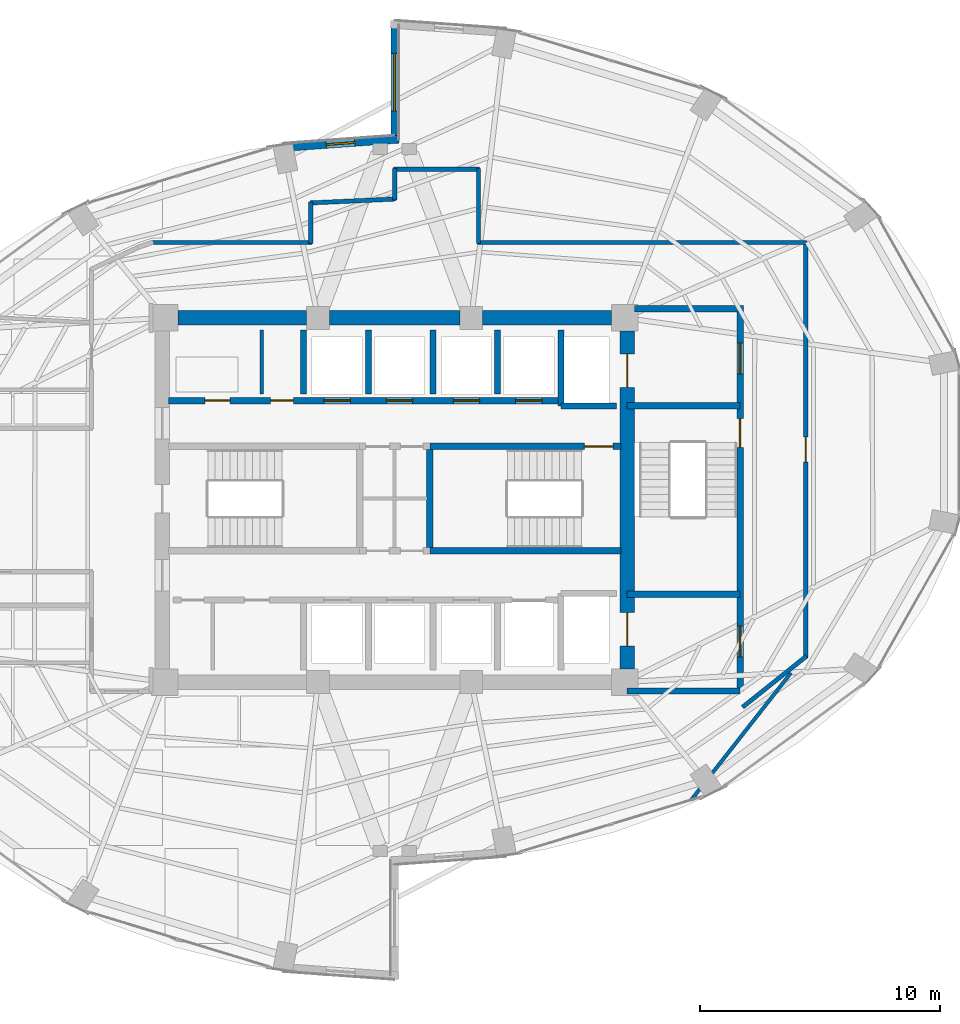
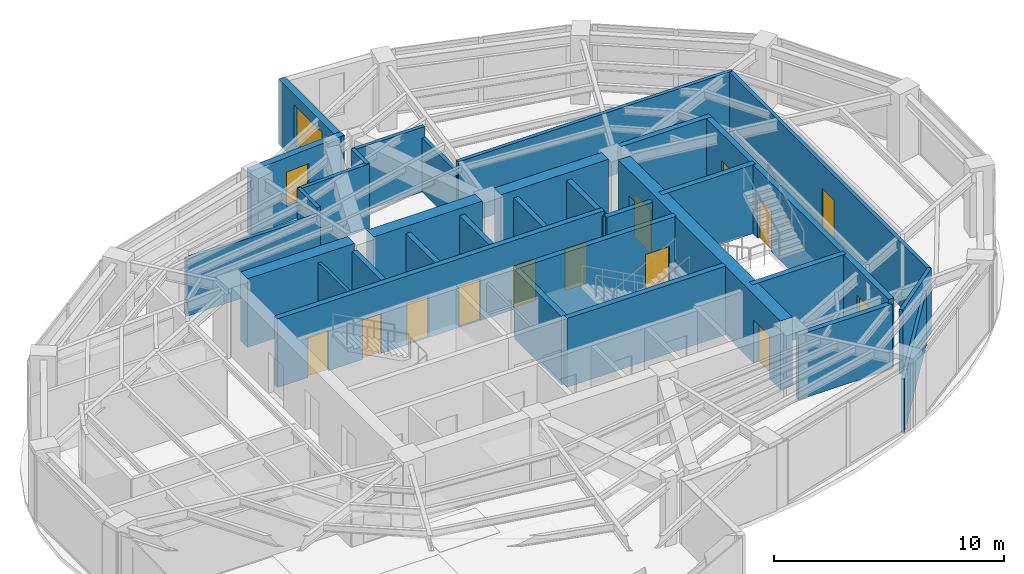
# One storey, part 17 of 20: 32 walls, 13 doors, 2 windows, 15 openings.
"""IFC4 building model written with IfcOpenShell, lengths in metres."""

from ifc_helpers import new_model, si_unit, direction, frame, frame_2d, origin, place, context, subcontext, project, spatial, rectangle, extrude, material, layer, layer_set, type_object, element, fill, save


model = new_model("IFC4")

# Units and contexts
model_context = context("Model", 3, precision=1e-05, world=origin(), true_north=direction((0.0, 1.0)))
body_context = subcontext(model_context, "Body", "Model", "MODEL_VIEW")
ifc_project = project(units=[si_unit("LENGTHUNIT", "METRE"), si_unit("AREAUNIT", "SQUARE_METRE"), si_unit("VOLUMEUNIT", "CUBIC_METRE"), si_unit("PLANEANGLEUNIT", "RADIAN"), si_unit("MASSUNIT", "GRAM", prefix="KILO")], contexts=[model_context])

# Site, building, storey
site_placement = place(None, origin())
site = spatial("IfcSite", under=ifc_project, at=site_placement, CompositionType="ELEMENT")
building_placement = place(site_placement, origin())
building = spatial("IfcBuilding", under=site, at=building_placement, Name="Lazwardi Medical Tower", CompositionType="ELEMENT")
storey_placement = place(building_placement, frame((0.0, 0.0, 182.06396484375)))
storey = spatial("IfcBuildingStorey", under=building, at=storey_placement, Name="L47", CompositionType="ELEMENT", Elevation=182.06396484375)

# Walls
ifc_material_1 = material(Name="Fire-rated gypsum board on steel stud", Category="steel")
ifc_layer_1 = layer(ifc_material_1, 0.179931640625)
ifc_layer_set_1 = layer_set([ifc_layer_1], Name="Fire-rated gypsum board on steel stud")
wall_type_1 = type_object("IfcWallType", Name="WL-COR-180", PredefinedType="PARTITIONING", material=ifc_layer_set_1)
wall_1_placement = place(storey_placement, frame((25.842529296875, 38.75, 0.0), z_axis=(0.0, 0.0, 1.0), x_axis=(1.0, 0.0, 0.0)))
element("IfcWall", 1, at=wall_1_placement, inside=storey, type_object=wall_type_1, Name="L47 Corridor partition 6", PredefinedType="PARTITIONING", context=body_context, shape_type="SweptSolid", body=[
    extrude(rectangle(XDim=6.697509765625, YDim=0.179931640625, at=frame_2d((3.3486328125, 0.0))), origin(), (0.0, 0.0, 1.0), 3.052978515625),
])
wall_2_placement = place(storey_placement, frame((32.5, 38.7099609375, 0.0), z_axis=(0.0, 0.0, 1.0), x_axis=(0.0, 1.0, 0.0)))
element("IfcWall", 2, at=wall_2_placement, inside=storey, type_object=wall_type_1, Name="L47 Corridor partition 7", PredefinedType="PARTITIONING", context=body_context, shape_type="SweptSolid", body=[
    extrude(rectangle(XDim=1.729248046875, YDim=0.179931640625, at=frame_2d((0.86474609375, 0.0))), origin(), (0.0, 0.0, 1.0), 3.427978515625),
])
wall_3_placement = place(storey_placement, frame((32.4599609375, 40.3974609375, 0.0), z_axis=(0.0, 0.0, 1.0), x_axis=(0.998948498694, 0.045846449783, 0.0)))
element("IfcWall", 3, at=wall_3_placement, inside=storey, type_object=wall_type_1, Name="L47 Corridor partition 8", PredefinedType="PARTITIONING", context=body_context, shape_type="SweptSolid", body=[
    extrude(rectangle(XDim=3.583740234375, YDim=0.179931640625, at=frame_2d((1.7919921875, 0.0))), origin(), (0.0, 0.0, 1.0), 3.427978515625),
])
wall_4_placement = place(storey_placement, frame((36.0, 40.52001953125, 0.0), z_axis=(0.0, 0.0, 1.0), x_axis=(0.0, 1.0, 0.0)))
element("IfcWall", 4, at=wall_4_placement, inside=storey, type_object=wall_type_1, Name="L47 Corridor partition 9", PredefinedType="PARTITIONING", context=body_context, shape_type="SweptSolid", body=[
    extrude(rectangle(XDim=1.320068359375, YDim=0.179931640625, at=frame_2d((0.66015625, 0.0))), origin(), (0.0, 0.0, 1.0), 3.427978515625),
])
wall_5_placement = place(storey_placement, frame((35.9599609375, 41.800048828125, 0.0), z_axis=(0.0, 0.0, 1.0), x_axis=(1.0, 0.0, 0.0)))
element("IfcWall", 5, at=wall_5_placement, inside=storey, type_object=wall_type_1, Name="L47 Corridor partition 10", PredefinedType="PARTITIONING", context=body_context, shape_type="SweptSolid", body=[
    extrude(rectangle(XDim=3.580078125, YDim=0.179931640625, at=frame_2d((1.7900390625, 0.0))), origin(), (0.0, 0.0, 1.0), 3.427978515625),
])
wall_6_placement = place(storey_placement, frame((39.5, 41.840087890625, 0.0), z_axis=(0.0, 0.0, 1.0), x_axis=(0.0, -1.0, 0.0)))
element("IfcWall", 6, at=wall_6_placement, inside=storey, type_object=wall_type_1, Name="L47 Corridor partition 11", PredefinedType="PARTITIONING", context=body_context, shape_type="SweptSolid", body=[
    extrude(rectangle(XDim=3.130126953125, YDim=0.179931640625, at=frame_2d((1.56494140625, 0.0))), origin(), (0.0, 0.0, 1.0), 2.863037109375),
])
wall_7_placement = place(storey_placement, frame((39.4599609375, 38.75, 0.0), z_axis=(0.0, 0.0, 1.0), x_axis=(1.0, 0.0, 0.0)))
element("IfcWall", 7, at=wall_7_placement, inside=storey, type_object=wall_type_1, Name="L47 Corridor partition 12", PredefinedType="PARTITIONING", context=body_context, shape_type="SweptSolid", body=[
    extrude(rectangle(XDim=13.72998046875, YDim=0.179931640625, at=frame_2d((6.864990234375, 0.0))), origin(), (0.0, 0.0, 1.0), 3.427978515625),
])

# Wall, opening, door
wall_8_placement = place(storey_placement, frame((53.14990234375, 38.7900390625, 0.0), z_axis=(0.0, 0.0, 1.0), x_axis=(0.0, -1.0, 0.0)))
wall_8 = element("IfcWall", 8, at=wall_8_placement, inside=storey, type_object=wall_type_1, Name="L47 Corridor partition 13", PredefinedType="PARTITIONING", context=body_context, shape_type="SweptSolid", body=[
    extrude(rectangle(XDim=17.374267578125, YDim=0.179931640625, at=frame_2d((8.68701171875, 0.0))), origin(), (0.0, 0.0, 1.0), 3.427978515625),
])
opening_1_placement = place(wall_8_placement, frame((8.162109375, 0.0, 0.0)))
opening_1 = element("IfcOpeningElement", 9, at=opening_1_placement, cuts=wall_8, Name="Opening D-L47-015", PredefinedType="OPENING", context=body_context, shape_type="SweptSolid", body=[
    extrude(rectangle(XDim=1.050048828125, YDim=2.14990234375, at=frame_2d((0.52490234375, 1.074951171875))), frame((0.0, 0.099853515625, 0.0), z_axis=(0.0, -1.0, 0.0), x_axis=(1.0, 0.0, 0.0)), (0.0, 0.0, 1.0), 0.199951171875),
])
ifc_material_2 = material(Name="Anti-microbial laminate hospital leaf")
door_type_1 = type_object("IfcDoorType", Name="DR-CLN-1050", OperationType="NOTDEFINED", PredefinedType="DOOR", material=ifc_material_2)
door_1_placement = place(opening_1_placement, origin())
door_1 = element("IfcDoor", 10, at=door_1_placement, inside=storey, type_object=door_type_1, Name="L47 Outpatient Consultation Suite Door 03", OperationType="SINGLE_SWING_RIGHT", OverallHeight=2.14990234375, OverallWidth=1.050048828125, PredefinedType="DOOR", context=body_context, shape_type="SweptSolid", body=[
    extrude(rectangle(XDim=1.050048828125, YDim=2.14990234375, at=frame_2d((0.52490234375, 1.074951171875))), frame((0.0, 0.02490234375, 0.0), z_axis=(0.0, -1.0, 0.0), x_axis=(1.0, 0.0, 0.0)), (0.0, 0.0, 1.0), 0.050048828125),
])
fill(opening_1, door_1)

# Wall
wall_9_placement = place(storey_placement, frame((53.181396484375, 21.480712890625, 0.0), z_axis=(0.0, 0.0, 1.0), x_axis=(-0.781420737726, -0.624004511724, 0.0)))
element("IfcWall", 11, at=wall_9_placement, inside=storey, type_object=wall_type_1, Name="L47 Corridor partition 14", PredefinedType="PARTITIONING", context=body_context, shape_type="SweptSolid", body=[
    extrude(rectangle(XDim=3.407470703125, YDim=0.179931640625, at=frame_2d((1.70361328125, 0.0))), origin(), (0.0, 0.0, 1.0), 3.427978515625),
])

# Wall, openings, doors
ifc_material_3 = material(Name="Concrete C60/75", Category="concrete")
ifc_layer_2 = layer(ifc_material_3, 0.60009765625)
ifc_layer_set_2 = layer_set([ifc_layer_2], Name="Concrete C60/75")
wall_type_2 = type_object("IfcWallType", Name="WL-CORE-600", PredefinedType="SHEAR", material=ifc_layer_set_2)
wall_10_placement = place(storey_placement, frame((45.699951171875, 20.949951171875, 0.0), z_axis=(0.0, 0.0, 1.0), x_axis=(0.0, 1.0, 0.0)))
wall_10 = element("IfcWall", 12, at=wall_10_placement, inside=storey, type_object=wall_type_2, Name="Core wall CW-S3 east L47", PredefinedType="SHEAR", context=body_context, shape_type="SweptSolid", body=[
    extrude(rectangle(XDim=14.10009765625, YDim=0.60009765625, at=frame_2d((7.050048828125, 0.0))), origin(), (0.0, 0.0, 1.0), 3.64794921875),
])
opening_2_placement = place(wall_10_placement, frame((11.75, 0.0, 0.0)))
opening_2 = element("IfcOpeningElement", 13, at=opening_2_placement, cuts=wall_10, Name="Opening LD-L47-001", PredefinedType="OPENING", context=body_context, shape_type="SweptSolid", body=[
    extrude(rectangle(XDim=1.39990234375, YDim=2.300048828125, at=frame_2d((0.699951171875, 1.14990234375))), frame((0.0, 0.31005859375, 0.0), z_axis=(0.0, -1.0, 0.0), x_axis=(1.0, 0.0, 0.0)), (0.0, 0.0, 1.0), 0.6201171875),
])
opening_3_placement = place(wall_10_placement, frame((0.949951171875, 0.0, 0.0)))
opening_3 = element("IfcOpeningElement", 14, at=opening_3_placement, cuts=wall_10, Name="Opening LD-L47-002", PredefinedType="OPENING", context=body_context, shape_type="SweptSolid", body=[
    extrude(rectangle(XDim=1.39990234375, YDim=2.300048828125, at=frame_2d((0.699951171875, 1.14990234375))), frame((0.0, 0.31005859375, 0.0), z_axis=(0.0, -1.0, 0.0), x_axis=(1.0, 0.0, 0.0)), (0.0, 0.0, 1.0), 0.6201171875),
])
ifc_material_4 = material(Name="Brushed stainless steel bed-lift landing door", Category="steel")
door_type_2 = type_object("IfcDoorType", Name="DR-LFT-1400", OperationType="NOTDEFINED", PredefinedType="DOOR", material=ifc_material_4)
door_2_placement = place(opening_2_placement, origin())
door_2 = element("IfcDoor", 15, at=door_2_placement, inside=storey, type_object=door_type_2, Name="L47 Lift Landing Door FL-01", OperationType="SLIDING_TO_LEFT", OverallHeight=2.300048828125, OverallWidth=1.39990234375, PredefinedType="DOOR", context=body_context, shape_type="SweptSolid", body=[
    extrude(rectangle(XDim=1.39990234375, YDim=2.300048828125, at=frame_2d((0.699951171875, 1.14990234375))), frame((0.0, 0.02490234375, 0.0), z_axis=(0.0, -1.0, 0.0), x_axis=(1.0, 0.0, 0.0)), (0.0, 0.0, 1.0), 0.050048828125),
])
fill(opening_2, door_2)
door_3_placement = place(opening_3_placement, origin())
door_3 = element("IfcDoor", 16, at=door_3_placement, inside=storey, type_object=door_type_2, Name="L47 Lift Landing Door FL-02", OperationType="SLIDING_TO_LEFT", OverallHeight=2.300048828125, OverallWidth=1.39990234375, PredefinedType="DOOR", context=body_context, shape_type="SweptSolid", body=[
    extrude(rectangle(XDim=1.39990234375, YDim=2.300048828125, at=frame_2d((0.699951171875, 1.14990234375))), frame((0.0, 0.02490234375, 0.0), z_axis=(0.0, -1.0, 0.0), x_axis=(1.0, 0.0, 0.0)), (0.0, 0.0, 1.0), 0.050048828125),
])
fill(opening_3, door_3)

# Walls
wall_11_placement = place(storey_placement, frame((26.949951171875, 35.60009765625, 0.0), z_axis=(0.0, 0.0, 1.0), x_axis=(1.0, 0.0, 0.0)))
element("IfcWall", 17, at=wall_11_placement, inside=storey, type_object=wall_type_2, Name="Core wall CW-S3 N1 L47", PredefinedType="SHEAR", context=body_context, shape_type="SweptSolid", body=[
    extrude(rectangle(XDim=5.375, YDim=0.60009765625, at=frame_2d((2.6875, 0.0))), origin(), (0.0, 0.0, 1.0), 3.64794921875),
])
wall_12_placement = place(storey_placement, frame((33.27490234375, 35.60009765625, 0.0), z_axis=(0.0, 0.0, 1.0), x_axis=(1.0, 0.0, 0.0)))
element("IfcWall", 18, at=wall_12_placement, inside=storey, type_object=wall_type_2, Name="Core wall CW-S3 N2 L47", PredefinedType="SHEAR", context=body_context, shape_type="SweptSolid", body=[
    extrude(rectangle(XDim=5.4501953125, YDim=0.60009765625, at=frame_2d((2.72509765625, 0.0))), origin(), (0.0, 0.0, 1.0), 3.64794921875),
])
wall_13_placement = place(storey_placement, frame((39.675048828125, 35.60009765625, 0.0), z_axis=(0.0, 0.0, 1.0), x_axis=(1.0, 0.0, 0.0)))
element("IfcWall", 19, at=wall_13_placement, inside=storey, type_object=wall_type_2, Name="Core wall CW-S3 N3 L47", PredefinedType="SHEAR", context=body_context, shape_type="SweptSolid", body=[
    extrude(rectangle(XDim=5.375, YDim=0.60009765625, at=frame_2d((2.6875, 0.0))), origin(), (0.0, 0.0, 1.0), 3.64794921875),
])

# Wall, opening, window
ifc_material_5 = material(Name="Precast concrete C45/55", Category="concrete")
ifc_layer_3 = layer(ifc_material_5, 0.320068359375)
ifc_layer_set_3 = layer_set([ifc_layer_3], Name="Precast concrete C45/55")
wall_type_3 = type_object("IfcWallType", Name="WL-IWAN-320", PredefinedType="SOLIDWALL", material=ifc_layer_set_3)
wall_14_placement = place(storey_placement, frame((36.17919921875, 43.052978515625, 0.0), z_axis=(0.0, 0.0, 1.0), x_axis=(-0.997415202861, -0.071853413984, 0.0)))
wall_14 = element("IfcWall", 20, at=wall_14_placement, inside=storey, type_object=wall_type_3, Name="L47 Iwan Portal Return Wall NW_ret", PredefinedType="SOLIDWALL", context=body_context, shape_type="SweptSolid", body=[
    extrude(rectangle(XDim=4.892822265625, YDim=0.320068359375, at=frame_2d((2.4462890625, 0.0))), origin(), (0.0, 0.0, 1.0), 3.427978515625),
])
opening_4_placement = place(wall_14_placement, frame((1.84619140625, 0.0, 0.85009765625)))
opening_4 = element("IfcOpeningElement", 21, at=opening_4_placement, cuts=wall_14, Name="Opening WN-04", PredefinedType="OPENING", context=body_context, shape_type="SweptSolid", body=[
    extrude(rectangle(XDim=1.199951171875, YDim=1.800048828125, at=frame_2d((0.60009765625, 0.89990234375))), frame((0.0, 0.169921875, 0.0), z_axis=(0.0, -1.0, 0.0), x_axis=(1.0, 0.0, 0.0)), (0.0, 0.0, 1.0), 0.340087890625),
])
ifc_material_6 = material(Name="Low-e bronze solar control double glazing", Category="glass")
window_type_1 = type_object("IfcWindowType", Name="WIN-DRUM-1200", PartitioningType="SINGLE_PANEL", PredefinedType="WINDOW", material=ifc_material_6)
window_1_placement = place(opening_4_placement, origin())
window_1 = element("IfcWindow", 22, at=window_1_placement, inside=storey, type_object=window_type_1, Name="L47 Iwan Slot Window NW_ret", OverallHeight=1.800048828125, OverallWidth=1.199951171875, PartitioningType="SINGLE_PANEL", PredefinedType="WINDOW", context=body_context, shape_type="SweptSolid", body=[
    extrude(rectangle(XDim=1.199951171875, YDim=1.800048828125, at=frame_2d((0.60009765625, 0.89990234375))), frame((0.0, 0.030029296875, 0.0), z_axis=(0.0, -1.0, 0.0), x_axis=(1.0, 0.0, 0.0)), (0.0, 0.0, 1.0), 0.06005859375),
])
fill(opening_4, window_1)

wall_15_placement = place(storey_placement, frame((36.0, 48.0, 0.0), z_axis=(0.0, 0.0, 1.0), x_axis=(0.0, -1.0, 0.0)))
wall_15 = element("IfcWall", 23, at=wall_15_placement, inside=storey, type_object=wall_type_3, Name="L47 Turquoise Tilework Iwan Seam Wall N_seam", PredefinedType="SOLIDWALL", context=body_context, shape_type="SweptSolid", body=[
    extrude(rectangle(XDim=5.1201171875, YDim=0.320068359375, at=frame_2d((2.56005859375, 0.0))), origin(), (0.0, 0.0, 1.0), 3.427978515625),
])
opening_5_placement = place(wall_15_placement, frame((1.360107421875, 0.0, 0.840087890625)))
opening_5 = element("IfcOpeningElement", 24, at=opening_5_placement, cuts=wall_15, Name="Opening WN-02", PredefinedType="OPENING", context=body_context, shape_type="SweptSolid", body=[
    extrude(rectangle(XDim=2.39990234375, YDim=2.0400390625, at=frame_2d((1.199951171875, 1.02001953125))), frame((0.0, 0.169921875, 0.0), z_axis=(0.0, -1.0, 0.0), x_axis=(1.0, 0.0, 0.0)), (0.0, 0.0, 1.0), 0.340087890625),
])
window_type_2 = type_object("IfcWindowType", Name="WIN-IW-2400", PartitioningType="SINGLE_PANEL", PredefinedType="WINDOW", material=ifc_material_6)
window_2_placement = place(opening_5_placement, origin())
window_2 = element("IfcWindow", 25, at=window_2_placement, inside=storey, type_object=window_type_2, Name="L47 Iwan Seam Window N_seam", OverallHeight=2.0400390625, OverallWidth=2.39990234375, PartitioningType="SINGLE_PANEL", PredefinedType="WINDOW", context=body_context, shape_type="SweptSolid", body=[
    extrude(rectangle(XDim=2.39990234375, YDim=2.0400390625, at=frame_2d((1.199951171875, 1.02001953125))), frame((0.0, 0.030029296875, 0.0), z_axis=(0.0, -1.0, 0.0), x_axis=(1.0, 0.0, 0.0)), (0.0, 0.0, 1.0), 0.06005859375),
])
fill(opening_5, window_2)

# Walls
ifc_material_7 = material(Name="Autoclaved aerated concrete blockwork", Category="masonry")
ifc_layer_4 = layer(ifc_material_7, 0.25)
ifc_layer_set_4 = layer_set([ifc_layer_4], Name="Autoclaved aerated concrete blockwork")
wall_type_4 = type_object("IfcWallType", Name="WL-SHAFT-250", PredefinedType="SOLIDWALL", material=ifc_layer_set_4)
wall_16_placement = place(storey_placement, frame((42.949951171875, 31.919921875, 0.0), z_axis=(0.0, 0.0, 1.0), x_axis=(0.0, 1.0, 0.0)))
element("IfcWall", 26, at=wall_16_placement, inside=storey, type_object=wall_type_4, Name="L47 FL-01 West shaft wall", PredefinedType="SOLIDWALL", context=body_context, shape_type="SweptSolid", body=[
    extrude(rectangle(XDim=3.18017578125, YDim=0.25, at=frame_2d((1.590087890625, 0.0))), origin(), (0.0, 0.0, 1.0), 3.427978515625),
])
wall_17_placement = place(storey_placement, frame((42.949951171875, 31.919921875, 0.0), z_axis=(0.0, 0.0, 1.0), x_axis=(1.0, 0.0, 0.0)))
element("IfcWall", 27, at=wall_17_placement, inside=storey, type_object=wall_type_4, Name="L47 FL-01 South shaft wall", PredefinedType="SOLIDWALL", context=body_context, shape_type="SweptSolid", body=[
    extrude(rectangle(XDim=2.300048828125, YDim=0.25, at=frame_2d((1.14990234375, 0.0))), origin(), (0.0, 0.0, 1.0), 3.427978515625),
])
for number, where, z_axis, x_axis, name in (
    (28, (32.199951171875, 32.419921875, 0.0), (0.0, 0.0, 1.0), (0.0, 1.0, 0.0), "L47 North hoistway divider"),
    (29, (34.89990234375, 32.419921875, 0.0), (0.0, 0.0, 1.0), (0.0, 1.0, 0.0), "L47 North hoistway divider"),
    (30, (37.60009765625, 32.419921875, 0.0), (0.0, 0.0, 1.0), (0.0, 1.0, 0.0), "L47 North hoistway divider"),
    (31, (40.300048828125, 32.419921875, 0.0), (0.0, 0.0, 1.0), (0.0, 1.0, 0.0), "L47 North hoistway divider"),
):
    element("IfcWall", number, at=place(storey_placement, frame(where, z_axis=z_axis, x_axis=x_axis)), inside=storey, type_object=wall_type_4, Name=name, PredefinedType="SOLIDWALL", context=body_context, shape_type="SweptSolid", body=[
        extrude(rectangle(XDim=2.68017578125, YDim=0.25, at=frame_2d((1.340087890625, 0.0))), origin(), (0.0, 0.0, 1.0), 3.427978515625),
    ])
wall_18_placement = place(storey_placement, frame((45.699951171875, 20.02001953125, 0.0), z_axis=(0.0, 0.0, 1.0), x_axis=(1.0, 0.0, 0.0)))
element("IfcWall", 32, at=wall_18_placement, inside=storey, type_object=wall_type_4, Name="L47 FFL-S South wall", PredefinedType="SOLIDWALL", context=body_context, shape_type="SweptSolid", body=[
    extrude(rectangle(XDim=4.715087890625, YDim=0.25, at=frame_2d((2.357421875, 0.0))), origin(), (0.0, 0.0, 1.0), 3.427978515625),
])

# Wall, opening, door
ifc_material_8 = material(Name="Concrete C50/60", Category="concrete")
ifc_layer_5 = layer(ifc_material_8, 0.27001953125)
ifc_layer_set_5 = layer_set([ifc_layer_5], Name="Concrete C50/60")
wall_type_5 = type_object("IfcWallType", Name="WL-STR-250", PredefinedType="SHEAR", material=ifc_layer_set_5)
wall_19_placement = place(storey_placement, frame((37.465087890625, 30.235107421875, 0.0), z_axis=(0.0, 0.0, 1.0), x_axis=(1.0, 0.0, 0.0)))
wall_19 = element("IfcWall", 33, at=wall_19_placement, inside=storey, type_object=wall_type_5, Name="L47 ST2 North shear shaft wall SW-S1", PredefinedType="SHEAR", context=body_context, shape_type="SweptSolid", body=[
    extrude(rectangle(XDim=7.98486328125, YDim=0.27001953125, at=frame_2d((3.992431640625, 0.0))), origin(), (0.0, 0.0, 1.0), 3.64794921875),
])
opening_6_placement = place(wall_19_placement, frame((6.455078125, 0.0, 0.0)))
opening_6 = element("IfcOpeningElement", 34, at=opening_6_placement, cuts=wall_19, Name="Opening D-L47-019", PredefinedType="OPENING", context=body_context, shape_type="SweptSolid", body=[
    extrude(rectangle(XDim=1.199951171875, YDim=2.14990234375, at=frame_2d((0.60009765625, 1.074951171875))), frame((0.0, 0.14501953125, 0.0), z_axis=(0.0, -1.0, 0.0), x_axis=(1.0, 0.0, 0.0)), (0.0, 0.0, 1.0), 0.2900390625),
])
ifc_material_9 = material(Name="Fire-rated steel leaf and frame", Category="steel")
door_type_3 = type_object("IfcDoorType", Name="DR-STR-1200", OperationType="NOTDEFINED", PredefinedType="DOOR", material=ifc_material_9)
door_4_placement = place(opening_6_placement, origin())
door_4 = element("IfcDoor", 35, at=door_4_placement, inside=storey, type_object=door_type_3, Name="L47 Exit Stair ST2 Door", OperationType="SINGLE_SWING_RIGHT", OverallHeight=2.14990234375, OverallWidth=1.199951171875, PredefinedType="DOOR", context=body_context, shape_type="SweptSolid", body=[
    extrude(rectangle(XDim=1.199951171875, YDim=2.14990234375, at=frame_2d((0.60009765625, 1.074951171875))), frame((0.0, 0.02490234375, 0.0), z_axis=(0.0, -1.0, 0.0), x_axis=(1.0, 0.0, 0.0)), (0.0, 0.0, 1.0), 0.050048828125),
])
fill(opening_6, door_4)

# Walls
wall_20_placement = place(storey_placement, frame((37.465087890625, 25.885009765625, 0.0), z_axis=(0.0, 0.0, 1.0), x_axis=(1.0, 0.0, 0.0)))
element("IfcWall", 36, at=wall_20_placement, inside=storey, type_object=wall_type_5, Name="L47 ST2 South shear shaft wall SW-S1", PredefinedType="SHEAR", context=body_context, shape_type="SweptSolid", body=[
    extrude(rectangle(XDim=7.98486328125, YDim=0.27001953125, at=frame_2d((3.992431640625, 0.0))), origin(), (0.0, 0.0, 1.0), 3.64794921875),
])
wall_21_placement = place(storey_placement, frame((37.465087890625, 26.02001953125, 0.0), z_axis=(0.0, 0.0, 1.0), x_axis=(0.0, 1.0, 0.0)))
element("IfcWall", 37, at=wall_21_placement, inside=storey, type_object=wall_type_5, Name="L47 ST2 West shear shaft wall SW-S1", PredefinedType="SHEAR", context=body_context, shape_type="SweptSolid", body=[
    extrude(rectangle(XDim=4.080078125, YDim=0.27001953125, at=frame_2d((2.0400390625, 0.0))), origin(), (0.0, 0.0, 1.0), 3.64794921875),
])

# Wall, openings, doors
wall_22_placement = place(storey_placement, frame((26.550048828125, 32.14990234375, 0.0), z_axis=(0.0, 0.0, 1.0), x_axis=(1.0, 0.0, 0.0)))
wall_22 = element("IfcWall", 38, at=wall_22_placement, inside=storey, type_object=wall_type_5, Name="L47 North lift bank shear wall SW-S1", PredefinedType="SHEAR", context=body_context, shape_type="SweptSolid", body=[
    extrude(rectangle(XDim=16.39990234375, YDim=0.27001953125, at=frame_2d((8.199951171875, 0.0))), origin(), (0.0, 0.0, 1.0), 3.64794921875),
])
opening_7_placement = place(wall_22_placement, frame((1.52490234375, 0.0, 0.0)))
opening_7 = element("IfcOpeningElement", 39, at=opening_7_placement, cuts=wall_22, Name="Opening D-L47-005", PredefinedType="OPENING", context=body_context, shape_type="SweptSolid", body=[
    extrude(rectangle(XDim=1.050048828125, YDim=2.14990234375, at=frame_2d((0.52490234375, 1.074951171875))), frame((0.0, 0.14501953125, 0.0), z_axis=(0.0, -1.0, 0.0), x_axis=(1.0, 0.0, 0.0)), (0.0, 0.0, 1.0), 0.2900390625),
])
opening_8_placement = place(wall_22_placement, frame((4.27490234375, 0.0, 0.0)))
opening_8 = element("IfcOpeningElement", 40, at=opening_8_placement, cuts=wall_22, Name="Opening D-L47-006", PredefinedType="OPENING", context=body_context, shape_type="SweptSolid", body=[
    extrude(rectangle(XDim=0.949951171875, YDim=2.10009765625, at=frame_2d((0.47509765625, 1.050048828125))), frame((0.0, 0.14501953125, 0.0), z_axis=(0.0, -1.0, 0.0), x_axis=(1.0, 0.0, 0.0)), (0.0, 0.0, 1.0), 0.2900390625),
])
opening_9_placement = place(wall_22_placement, frame((6.5, 0.0, 0.0)))
opening_9 = element("IfcOpeningElement", 41, at=opening_9_placement, cuts=wall_22, Name="Opening LD-L47-004", PredefinedType="OPENING", context=body_context, shape_type="SweptSolid", body=[
    extrude(rectangle(XDim=1.10009765625, YDim=2.199951171875, at=frame_2d((0.550048828125, 1.10009765625))), frame((0.0, 0.14501953125, 0.0), z_axis=(0.0, -1.0, 0.0), x_axis=(1.0, 0.0, 0.0)), (0.0, 0.0, 1.0), 0.2900390625),
])
opening_10_placement = place(wall_22_placement, frame((9.10009765625, 0.0, 0.0)))
opening_10 = element("IfcOpeningElement", 42, at=opening_10_placement, cuts=wall_22, Name="Opening LD-L47-005", PredefinedType="OPENING", context=body_context, shape_type="SweptSolid", body=[
    extrude(rectangle(XDim=1.10009765625, YDim=2.199951171875, at=frame_2d((0.550048828125, 1.10009765625))), frame((0.0, 0.14501953125, 0.0), z_axis=(0.0, -1.0, 0.0), x_axis=(1.0, 0.0, 0.0)), (0.0, 0.0, 1.0), 0.2900390625),
])
opening_11_placement = place(wall_22_placement, frame((11.89990234375, 0.0, 0.0)))
opening_11 = element("IfcOpeningElement", 43, at=opening_11_placement, cuts=wall_22, Name="Opening LD-L47-008", PredefinedType="OPENING", context=body_context, shape_type="SweptSolid", body=[
    extrude(rectangle(XDim=1.10009765625, YDim=2.199951171875, at=frame_2d((0.550048828125, 1.10009765625))), frame((0.0, 0.14501953125, 0.0), z_axis=(0.0, -1.0, 0.0), x_axis=(1.0, 0.0, 0.0)), (0.0, 0.0, 1.0), 0.2900390625),
])
opening_12_placement = place(wall_22_placement, frame((14.5, 0.0, 0.0)))
opening_12 = element("IfcOpeningElement", 44, at=opening_12_placement, cuts=wall_22, Name="Opening LD-L47-009", PredefinedType="OPENING", context=body_context, shape_type="SweptSolid", body=[
    extrude(rectangle(XDim=1.10009765625, YDim=2.199951171875, at=frame_2d((0.550048828125, 1.10009765625))), frame((0.0, 0.14501953125, 0.0), z_axis=(0.0, -1.0, 0.0), x_axis=(1.0, 0.0, 0.0)), (0.0, 0.0, 1.0), 0.2900390625),
])
door_5_placement = place(opening_7_placement, origin())
door_5 = element("IfcDoor", 45, at=door_5_placement, inside=storey, type_object=door_type_1, Name="L47 Telemedicine Door", OperationType="SINGLE_SWING_LEFT", OverallHeight=2.14990234375, OverallWidth=1.050048828125, PredefinedType="DOOR", context=body_context, shape_type="SweptSolid", body=[
    extrude(rectangle(XDim=1.050048828125, YDim=2.14990234375, at=frame_2d((0.52490234375, 1.074951171875))), frame((0.0, 0.02490234375, 0.0), z_axis=(0.0, -1.0, 0.0), x_axis=(1.0, 0.0, 0.0)), (0.0, 0.0, 1.0), 0.050048828125),
])
fill(opening_7, door_5)
ifc_material_10 = material(Name="Moisture-resistant laminate door leaf")
door_type_4 = type_object("IfcDoorType", Name="DR-ENS-950", OperationType="NOTDEFINED", PredefinedType="DOOR", material=ifc_material_10)
door_6_placement = place(opening_8_placement, origin())
door_6 = element("IfcDoor", 46, at=door_6_placement, inside=storey, type_object=door_type_4, Name="L47 Staff WC Door", OperationType="SINGLE_SWING_RIGHT", OverallHeight=2.10009765625, OverallWidth=0.949951171875, PredefinedType="DOOR", context=body_context, shape_type="SweptSolid", body=[
    extrude(rectangle(XDim=0.949951171875, YDim=2.10009765625, at=frame_2d((0.47509765625, 1.050048828125))), frame((0.0, 0.02490234375, 0.0), z_axis=(0.0, -1.0, 0.0), x_axis=(1.0, 0.0, 0.0)), (0.0, 0.0, 1.0), 0.050048828125),
])
fill(opening_8, door_6)
ifc_material_11 = material(Name="Brushed bronze stainless steel landing door", Category="steel")
door_type_5 = type_object("IfcDoorType", Name="DR-LFT-1100", OperationType="NOTDEFINED", PredefinedType="DOOR", material=ifc_material_11)
door_7_placement = place(opening_9_placement, origin())
door_7 = element("IfcDoor", 47, at=door_7_placement, inside=storey, type_object=door_type_5, Name="L47 Lift Landing Door PL-05", OperationType="SLIDING_TO_LEFT", OverallHeight=2.199951171875, OverallWidth=1.10009765625, PredefinedType="DOOR", context=body_context, shape_type="SweptSolid", body=[
    extrude(rectangle(XDim=1.10009765625, YDim=2.199951171875, at=frame_2d((0.550048828125, 1.10009765625))), frame((0.0, 0.02490234375, 0.0), z_axis=(0.0, -1.0, 0.0), x_axis=(1.0, 0.0, 0.0)), (0.0, 0.0, 1.0), 0.050048828125),
])
fill(opening_9, door_7)
door_8_placement = place(opening_10_placement, origin())
door_8 = element("IfcDoor", 48, at=door_8_placement, inside=storey, type_object=door_type_5, Name="L47 Lift Landing Door PL-06", OperationType="SLIDING_TO_LEFT", OverallHeight=2.199951171875, OverallWidth=1.10009765625, PredefinedType="DOOR", context=body_context, shape_type="SweptSolid", body=[
    extrude(rectangle(XDim=1.10009765625, YDim=2.199951171875, at=frame_2d((0.550048828125, 1.10009765625))), frame((0.0, 0.02490234375, 0.0), z_axis=(0.0, -1.0, 0.0), x_axis=(1.0, 0.0, 0.0)), (0.0, 0.0, 1.0), 0.050048828125),
])
fill(opening_10, door_8)
door_9_placement = place(opening_11_placement, origin())
door_9 = element("IfcDoor", 49, at=door_9_placement, inside=storey, type_object=door_type_5, Name="L47 Lift Landing Door PL-09", OperationType="SLIDING_TO_LEFT", OverallHeight=2.199951171875, OverallWidth=1.10009765625, PredefinedType="DOOR", context=body_context, shape_type="SweptSolid", body=[
    extrude(rectangle(XDim=1.10009765625, YDim=2.199951171875, at=frame_2d((0.550048828125, 1.10009765625))), frame((0.0, 0.02490234375, 0.0), z_axis=(0.0, -1.0, 0.0), x_axis=(1.0, 0.0, 0.0)), (0.0, 0.0, 1.0), 0.050048828125),
])
fill(opening_11, door_9)
door_10_placement = place(opening_12_placement, origin())
door_10 = element("IfcDoor", 50, at=door_10_placement, inside=storey, type_object=door_type_5, Name="L47 Lift Landing Door PL-10", OperationType="SLIDING_TO_LEFT", OverallHeight=2.199951171875, OverallWidth=1.10009765625, PredefinedType="DOOR", context=body_context, shape_type="SweptSolid", body=[
    extrude(rectangle(XDim=1.10009765625, YDim=2.199951171875, at=frame_2d((0.550048828125, 1.10009765625))), frame((0.0, 0.02490234375, 0.0), z_axis=(0.0, -1.0, 0.0), x_axis=(1.0, 0.0, 0.0)), (0.0, 0.0, 1.0), 0.050048828125),
])
fill(opening_12, door_10)

wall_23_placement = place(storey_placement, frame((50.4150390625, 35.844970703125, 0.0), z_axis=(0.0, 0.0, 1.0), x_axis=(0.0, -1.0, 0.0)))
wall_23 = element("IfcWall", 51, at=wall_23_placement, inside=storey, type_object=wall_type_5, Name="L47 East ST3 & FFL shear wall SW-S1", PredefinedType="SHEAR", context=body_context, shape_type="SweptSolid", body=[
    extrude(rectangle(XDim=15.824951171875, YDim=0.27001953125, at=frame_2d((7.91259765625, 0.0))), origin(), (0.0, 0.0, 1.0), 3.64794921875),
])
opening_13_placement = place(wall_23_placement, frame((4.445068359375, 0.0, 0.0)))
opening_13 = element("IfcOpeningElement", 52, at=opening_13_placement, cuts=wall_23, Name="Opening D-L47-020", PredefinedType="OPENING", context=body_context, shape_type="SweptSolid", body=[
    extrude(rectangle(XDim=1.199951171875, YDim=2.14990234375, at=frame_2d((0.60009765625, 1.074951171875))), frame((0.0, 0.14501953125, 0.0), z_axis=(0.0, -1.0, 0.0), x_axis=(1.0, 0.0, 0.0)), (0.0, 0.0, 1.0), 0.2900390625),
])
opening_14_placement = place(wall_23_placement, frame((1.294921875, 0.0, 0.0)))
opening_14 = element("IfcOpeningElement", 53, at=opening_14_placement, cuts=wall_23, Name="Opening D-L47-009", PredefinedType="OPENING", context=body_context, shape_type="SweptSolid", body=[
    extrude(rectangle(XDim=1.300048828125, YDim=2.199951171875, at=frame_2d((0.64990234375, 1.10009765625))), frame((0.0, 0.14501953125, 0.0), z_axis=(0.0, -1.0, 0.0), x_axis=(1.0, 0.0, 0.0)), (0.0, 0.0, 1.0), 0.2900390625),
])
opening_15_placement = place(wall_23_placement, frame((13.094970703125, 0.0, 0.0)))
opening_15 = element("IfcOpeningElement", 54, at=opening_15_placement, cuts=wall_23, Name="Opening D-L47-010", PredefinedType="OPENING", context=body_context, shape_type="SweptSolid", body=[
    extrude(rectangle(XDim=1.300048828125, YDim=2.199951171875, at=frame_2d((0.64990234375, 1.10009765625))), frame((0.0, 0.14501953125, 0.0), z_axis=(0.0, -1.0, 0.0), x_axis=(1.0, 0.0, 0.0)), (0.0, 0.0, 1.0), 0.2900390625),
])
door_type_6 = type_object("IfcDoorType", Name="DR-FFL-1300", OperationType="NOTDEFINED", PredefinedType="DOOR", material=ifc_material_9)
door_11_placement = place(opening_14_placement, origin())
door_11 = element("IfcDoor", 55, at=door_11_placement, inside=storey, type_object=door_type_6, Name="L47 Fire-Fighting Lobby North Door", OperationType="SINGLE_SWING_RIGHT", OverallHeight=2.199951171875, OverallWidth=1.300048828125, PredefinedType="DOOR", context=body_context, shape_type="SweptSolid", body=[
    extrude(rectangle(XDim=1.300048828125, YDim=2.199951171875, at=frame_2d((0.64990234375, 1.10009765625))), frame((0.0, 0.02490234375, 0.0), z_axis=(0.0, -1.0, 0.0), x_axis=(1.0, 0.0, 0.0)), (0.0, 0.0, 1.0), 0.050048828125),
])
fill(opening_14, door_11)
door_12_placement = place(opening_15_placement, origin())
door_12 = element("IfcDoor", 56, at=door_12_placement, inside=storey, type_object=door_type_6, Name="L47 Fire-Fighting Lobby South Door", OperationType="SINGLE_SWING_LEFT", OverallHeight=2.199951171875, OverallWidth=1.300048828125, PredefinedType="DOOR", context=body_context, shape_type="SweptSolid", body=[
    extrude(rectangle(XDim=1.300048828125, YDim=2.199951171875, at=frame_2d((0.64990234375, 1.10009765625))), frame((0.0, 0.02490234375, 0.0), z_axis=(0.0, -1.0, 0.0), x_axis=(1.0, 0.0, 0.0)), (0.0, 0.0, 1.0), 0.050048828125),
])
fill(opening_15, door_12)
door_13_placement = place(opening_13_placement, origin())
door_13 = element("IfcDoor", 57, at=door_13_placement, inside=storey, type_object=door_type_3, Name="L47 Exit Stair ST3 Door", OperationType="SINGLE_SWING_LEFT", OverallHeight=2.14990234375, OverallWidth=1.199951171875, PredefinedType="DOOR", context=body_context, shape_type="SweptSolid", body=[
    extrude(rectangle(XDim=1.199951171875, YDim=2.14990234375, at=frame_2d((0.60009765625, 1.074951171875))), frame((0.0, 0.02490234375, 0.0), z_axis=(0.0, -1.0, 0.0), x_axis=(1.0, 0.0, 0.0)), (0.0, 0.0, 1.0), 0.050048828125),
])
fill(opening_13, door_13)

# Walls
wall_24_placement = place(storey_placement, frame((46.0, 35.97998046875, 0.0), z_axis=(0.0, 0.0, 1.0), x_axis=(1.0, 0.0, 0.0)))
element("IfcWall", 58, at=wall_24_placement, inside=storey, type_object=wall_type_5, Name="L47 FFL-N North shear wall SW-S1", PredefinedType="SHEAR", context=body_context, shape_type="SweptSolid", body=[
    extrude(rectangle(XDim=4.550048828125, YDim=0.27001953125, at=frame_2d((2.27490234375, 0.0))), origin(), (0.0, 0.0, 1.0), 3.64794921875),
])
for number, where, z_axis, x_axis, name in (
    (59, (45.699951171875, 31.93505859375, 0.0), (0.0, 0.0, 1.0), (1.0, 0.0, 0.0), "L47 ST3 North shear shaft wall SW-S1"),
    (60, (45.699951171875, 24.06494140625, 0.0), (0.0, 0.0, 1.0), (1.0, 0.0, 0.0), "L47 ST3 South shear shaft wall SW-S1"),
):
    element("IfcWall", number, at=place(storey_placement, frame(where, z_axis=z_axis, x_axis=x_axis)), inside=storey, type_object=wall_type_5, Name=name, PredefinedType="SHEAR", context=body_context, shape_type="SweptSolid", body=[
        extrude(rectangle(XDim=4.715087890625, YDim=0.27001953125, at=frame_2d((2.357421875, 0.0))), origin(), (0.0, 0.0, 1.0), 3.64794921875),
    ])
ifc_material_12 = material(Name="Acoustic gypsum board partition")
ifc_layer_6 = layer(ifc_material_12, 0.14990234375)
ifc_layer_set_6 = layer_set([ifc_layer_6], Name="Acoustic gypsum board partition")
wall_type_6 = type_object("IfcWallType", Name="WL-WRD-150", PredefinedType="PARTITIONING", material=ifc_layer_set_6)
wall_25_placement = place(storey_placement, frame((30.449951171875, 32.419921875, 0.0), z_axis=(0.0, 0.0, 1.0), x_axis=(0.0, 1.0, 0.0)))
element("IfcWall", 61, at=wall_25_placement, inside=storey, type_object=wall_type_6, Name="L47 Freed bay N split 2", PredefinedType="PARTITIONING", context=body_context, shape_type="SweptSolid", body=[
    extrude(rectangle(XDim=2.68017578125, YDim=0.14990234375, at=frame_2d((1.340087890625, 0.0))), origin(), (0.0, 0.0, 1.0), 3.427978515625),
])
wall_26_placement = place(storey_placement, frame((52.537109375, 20.782958984375, 0.0), z_axis=(0.0, 0.0, 1.0), x_axis=(-0.617570357244, -0.786515641201, 0.0)))
element("IfcWall", 62, at=wall_26_placement, inside=storey, type_object=wall_type_6, Name="L47 Room partition 5", PredefinedType="PARTITIONING", context=body_context, shape_type="SweptSolid", body=[
    extrude(rectangle(XDim=6.739990234375, YDim=0.14990234375, at=frame_2d((3.3701171875, 0.0))), origin(), (0.0, 0.0, 1.0), 2.863037109375),
])

save(model, "model.ifc")
